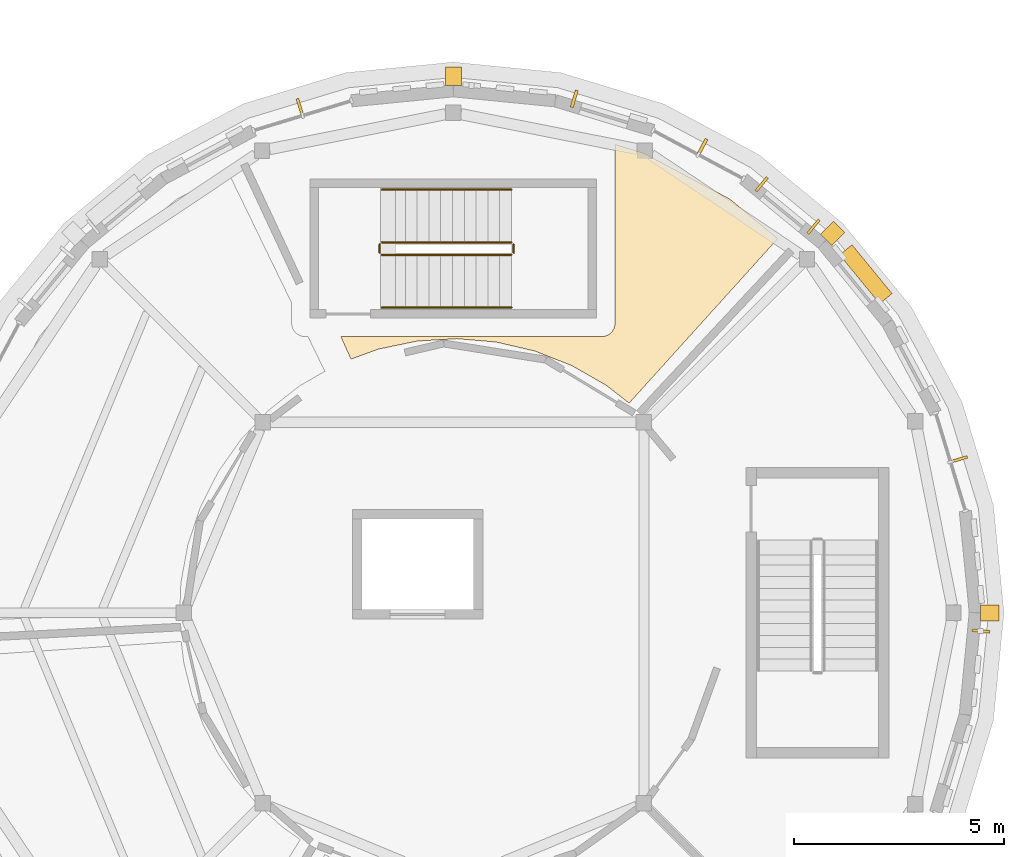
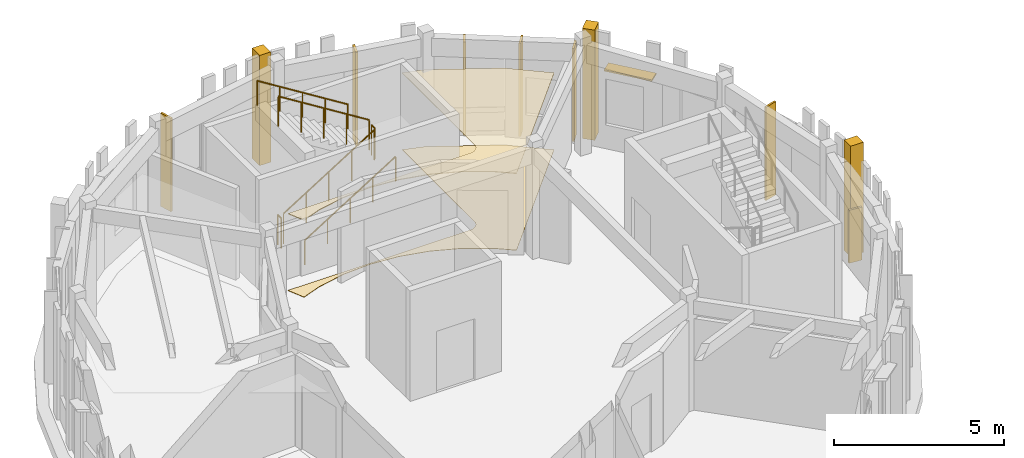
# One storey, part 80 of 80: 8 shading devices, 6 railings, 5 coverings.
"""IFC4 building model written with IfcOpenShell, lengths in metres."""

from ifc_helpers import new_model, si_unit, direction, frame, origin, origin_2d, place, context, subcontext, project, spatial, polyline, rectangle, circle, outline, extrude, material, layer, layer_set, type_object, element, save


model = new_model("IFC4")

# Units and contexts
model_context = context("Model", 3, precision=1e-05, world=origin(), true_north=direction((0.0, 1.0)))
body_context = subcontext(model_context, "Body", "Model", "MODEL_VIEW")
ifc_project = project(units=[si_unit("LENGTHUNIT", "METRE"), si_unit("AREAUNIT", "SQUARE_METRE"), si_unit("VOLUMEUNIT", "CUBIC_METRE"), si_unit("PLANEANGLEUNIT", "RADIAN"), si_unit("MASSUNIT", "GRAM", prefix="KILO")], contexts=[model_context])

# Site, building, storey
site_placement = place(None, origin())
site = spatial("IfcSite", under=ifc_project, at=site_placement, CompositionType="ELEMENT")
building_placement = place(site_placement, origin())
building = spatial("IfcBuilding", under=site, at=building_placement, Name="Aldenvaro Health Centre", CompositionType="ELEMENT")
storey_placement = place(building_placement, frame((0.0, 0.0, 4.550048828125)))
storey = spatial("IfcBuildingStorey", under=building, at=storey_placement, Name="L01", CompositionType="ELEMENT", Elevation=4.550048828125)

# Coverings
ifc_material_1 = material(Name="Hygienic Sealed Gypsum Ceiling")
ifc_layer_1 = layer(ifc_material_1, 0.02490234375, Name="Hygienic Sealed Gypsum Ceiling")
ifc_layer_set_1 = layer_set([ifc_layer_1], Name="Hygienic Sealed Gypsum Ceiling")
covering_type_1 = type_object("IfcCoveringType", Name="COV-CLG-GYP25", PredefinedType="CEILING", material=ifc_layer_set_1)
covering_1_placement = place(storey_placement, frame((0.0, 0.0, 2.75)))
element("IfcCovering", 1, at=covering_1_placement, inside=storey, type_object=covering_type_1, Name="D2-L01-R01 Suspended Ceiling", PredefinedType="CEILING", context=body_context, shape_type="SweptSolid", body=[
    extrude(outline(polyline([(158.137939453125, 104.89794921875), (158.10888671875, 104.9169921875), (157.322998046875, 105.364990234375), (157.2919921875, 105.3798828125), (156.449951171875, 105.7109375), (156.416015625, 105.720947265625), (155.534912109375, 105.927001953125), (155.5009765625, 105.931884765625), (154.60009765625, 106.009033203125), (154.56494140625, 106.009033203125), (153.662109375, 105.955078125), (153.6279296875, 105.950927734375), (152.741943359375, 105.76708984375), (152.7080078125, 105.758056640625), (152.068115234375, 105.52490234375), (151.827880859375, 106.06005859375), (158.02001953125, 106.06005859375), (158.031982421875, 106.06005859375), (158.0400390625, 106.06103515625), (158.06298828125, 106.06298828125), (158.071044921875, 106.06396484375), (158.093994140625, 106.069091796875), (158.10205078125, 106.071044921875), (158.1240234375, 106.076904296875), (158.131103515625, 106.080078125), (158.153076171875, 106.089111328125), (158.159912109375, 106.092041015625), (158.180908203125, 106.10400390625), (158.18798828125, 106.10791015625), (158.20703125, 106.12109375), (158.214111328125, 106.125), (158.23193359375, 106.139892578125), (158.238037109375, 106.14599609375), (158.25390625, 106.162109375), (158.260009765625, 106.16796875), (158.27490234375, 106.18603515625), (158.279052734375, 106.193115234375), (158.2919921875, 106.2119140625), (158.2958984375, 106.218994140625), (158.30810546875, 106.239990234375), (158.31103515625, 106.2470703125), (158.320068359375, 106.26904296875), (158.322998046875, 106.27587890625), (158.3291015625, 106.298095703125), (158.3310546875, 106.305908203125), (158.3359375, 106.3291015625), (158.3369140625, 106.3369140625), (158.339111328125, 106.360107421875), (158.340087890625, 106.367919921875), (158.340087890625, 106.3798828125), (158.340087890625, 110.6259765625), (159.02294921875, 110.4189453125), (161.06591796875, 109.326904296875), (162.2080078125, 108.388916015625), (158.675048828125, 104.47900390625), (158.137939453125, 104.89794921875)])), origin(), (0.0, 0.0, 1.0), 0.02490234375),
])
ifc_material_2 = material(Name="Honed Sonoran Buff Limestone", Category="masonry")
ifc_layer_2 = layer(ifc_material_2, 0.280029296875, Name="Honed Sonoran Buff Limestone", Category="masonry")
ifc_layer_set_2 = layer_set([ifc_layer_2], Name="Honed Sonoran Buff Limestone")
covering_type_2 = type_object("IfcCoveringType", Name="COV-CRN-STN", PredefinedType="CLADDING", material=ifc_layer_set_2)
for number, where, z_axis, x_axis, name in (
    (2, (167.239990234375, 99.5, -0.00048828125), (0.0, 0.0, 1.0), (1.0, 0.0, 0.0), "D2 L01 Engaged Classical Limestone Pilaster 01"),
    (3, (154.5, 112.239990234375, -0.00048828125), (0.0, 0.0, 1.0), (0.0, 1.0, 0.0), "D2 L01 Engaged Classical Limestone Pilaster 13"),
    (4, (163.509033203125, 108.509033203125, -0.00048828125), (0.0, 0.0, 1.0), (0.707106781187, 0.707106781187, 0.0), "D2 L01 Engaged Classical Limestone Pilaster 15"),
):
    element("IfcCovering", number, at=place(storey_placement, frame(where, z_axis=z_axis, x_axis=x_axis)), inside=storey, type_object=covering_type_2, Name=name, PredefinedType="CLADDING", context=body_context, shape_type="SweptSolid", body=[
        extrude(rectangle(XDim=0.43994140625, YDim=0.3798828125, at=origin_2d()), origin(), (0.0, 0.0, 1.0), 3.955078125),
    ])
ifc_material_3 = material(Name="Seamless Homogeneous Sheet Vinyl")
ifc_layer_3 = layer(ifc_material_3, 0.013916015625, Name="Seamless Homogeneous Sheet Vinyl")
ifc_layer_set_3 = layer_set([ifc_layer_3], Name="Seamless Homogeneous Sheet Vinyl")
covering_type_3 = type_object("IfcCoveringType", Name="COV-FLR-VNL14", PredefinedType="FLOORING", material=ifc_layer_set_3)
covering_2_placement = place(storey_placement, origin())
element("IfcCovering", 5, at=covering_2_placement, inside=storey, type_object=covering_type_3, Name="D2-L01-R01 Flooring", PredefinedType="FLOORING", context=body_context, shape_type="SweptSolid", body=[
    extrude(outline(polyline([(158.137939453125, 104.89794921875), (158.10888671875, 104.9169921875), (157.322998046875, 105.364990234375), (157.2919921875, 105.3798828125), (156.449951171875, 105.7109375), (156.416015625, 105.720947265625), (155.534912109375, 105.927001953125), (155.5009765625, 105.931884765625), (154.60009765625, 106.009033203125), (154.56494140625, 106.009033203125), (153.662109375, 105.955078125), (153.6279296875, 105.950927734375), (152.741943359375, 105.76708984375), (152.7080078125, 105.758056640625), (152.068115234375, 105.52490234375), (151.827880859375, 106.06005859375), (158.02001953125, 106.06005859375), (158.031982421875, 106.06005859375), (158.0400390625, 106.06103515625), (158.06298828125, 106.06298828125), (158.071044921875, 106.06396484375), (158.093994140625, 106.069091796875), (158.10205078125, 106.071044921875), (158.1240234375, 106.076904296875), (158.131103515625, 106.080078125), (158.153076171875, 106.089111328125), (158.159912109375, 106.092041015625), (158.180908203125, 106.10400390625), (158.18798828125, 106.10791015625), (158.20703125, 106.12109375), (158.214111328125, 106.125), (158.23193359375, 106.139892578125), (158.238037109375, 106.14599609375), (158.25390625, 106.162109375), (158.260009765625, 106.16796875), (158.27490234375, 106.18603515625), (158.279052734375, 106.193115234375), (158.2919921875, 106.2119140625), (158.2958984375, 106.218994140625), (158.30810546875, 106.239990234375), (158.31103515625, 106.2470703125), (158.320068359375, 106.26904296875), (158.322998046875, 106.27587890625), (158.3291015625, 106.298095703125), (158.3310546875, 106.305908203125), (158.3359375, 106.3291015625), (158.3369140625, 106.3369140625), (158.339111328125, 106.360107421875), (158.340087890625, 106.367919921875), (158.340087890625, 106.3798828125), (158.340087890625, 110.6259765625), (159.02294921875, 110.4189453125), (161.06591796875, 109.326904296875), (162.2080078125, 108.388916015625), (158.675048828125, 104.47900390625), (158.137939453125, 104.89794921875)])), origin(), (0.0, 0.0, 1.0), 0.013916015625),
])

# Railings
ifc_material_4 = material(Name="Painted Architectural Steel", Category="steel")
railing_type_1 = type_object("IfcRailingType", Name="RL-BAL-INT", PredefinedType="BALUSTRADE", material=ifc_material_4)
railing_1_placement = place(storey_placement, frame((152.800048828125, 108.0, 0.175048828125)))
element("IfcRailing", 6, at=railing_1_placement, inside=storey, type_object=railing_type_1, Name="L01 ST-04 stair guard 1", PredefinedType="BALUSTRADE", context=body_context, shape_type="SweptSolid", body=[
    extrude(circle(Radius=0.02392578125, at=origin_2d()), frame((0.0, 0.0, 1.076171875), z_axis=(0.848009633417, 0.0, 0.529980812513), x_axis=(0.0, 1.0, 0.0)), (0.0, 0.0, 1.0), 3.6318359375),
    extrude(circle(Radius=0.02099609375, at=origin_2d()), origin(), (0.0, 0.0, 1.0), 1.052001953125),
    extrude(circle(Radius=0.02099609375, at=origin_2d()), frame((0.77001953125, 0.0, 0.481201171875)), (0.0, 0.0, 1.0), 1.052001953125),
    extrude(circle(Radius=0.02099609375, at=origin_2d()), frame((1.5400390625, 0.0, 0.96240234375)), (0.0, 0.0, 1.0), 1.052001953125),
    extrude(circle(Radius=0.02099609375, at=origin_2d()), frame((2.309814453125, 0.0, 1.443603515625)), (0.0, 0.0, 1.0), 1.052001953125),
    extrude(circle(Radius=0.02099609375, at=origin_2d()), frame((3.079833984375, 0.0, 1.9248046875)), (0.0, 0.0, 1.0), 1.052001953125),
])
railing_2_placement = place(storey_placement, frame((155.929931640625, 108.050048828125, 2.099853515625)))
element("IfcRailing", 7, at=railing_2_placement, inside=storey, type_object=railing_type_1, Name="L01 ST-04 stair guard 2", PredefinedType="BALUSTRADE", context=body_context, shape_type="SweptSolid", body=[
    extrude(circle(Radius=0.02392578125, at=origin_2d()), frame((0.0, 0.0, 1.076171875), z_axis=(0.0, 1.0, 0.0), x_axis=(-1.0, 0.0, 0.0)), (0.0, 0.0, 1.0), 0.199951171875),
    extrude(circle(Radius=0.02099609375, at=origin_2d()), origin(), (0.0, 0.0, 1.0), 1.052001953125),
    extrude(circle(Radius=0.02099609375, at=origin_2d()), frame((0.0, 0.199951171875, 0.0)), (0.0, 0.0, 1.0), 1.052001953125),
])
railing_3_placement = place(storey_placement, frame((155.8798828125, 108.300048828125, 2.27490234375)))
element("IfcRailing", 8, at=railing_3_placement, inside=storey, type_object=railing_type_1, Name="L01 ST-04 stair guard 3", PredefinedType="BALUSTRADE", context=body_context, shape_type="SweptSolid", body=[
    extrude(circle(Radius=0.02392578125, at=origin_2d()), frame((0.0, 0.0, 1.076171875), z_axis=(-0.847979421464, 0.0, 0.530029150871), x_axis=(0.0, -1.0, 0.0)), (0.0, 0.0, 1.0), 3.632080078125),
    extrude(circle(Radius=0.02099609375, at=origin_2d()), origin(), (0.0, 0.0, 1.0), 1.052001953125),
    extrude(circle(Radius=0.02099609375, at=origin_2d()), frame((-0.77001953125, 0.0, 0.481201171875)), (0.0, 0.0, 1.0), 1.052001953125),
    extrude(circle(Radius=0.02099609375, at=origin_2d()), frame((-1.5400390625, 0.0, 0.96240234375)), (0.0, 0.0, 1.0), 1.052001953125),
    extrude(circle(Radius=0.02099609375, at=origin_2d()), frame((-2.309814453125, 0.0, 1.44384765625)), (0.0, 0.0, 1.0), 1.052001953125),
    extrude(circle(Radius=0.02099609375, at=origin_2d()), frame((-3.079833984375, 0.0, 1.925048828125)), (0.0, 0.0, 1.0), 1.052001953125),
])
railing_4_placement = place(storey_placement, frame((152.75, 108.050048828125, 0.0)))
element("IfcRailing", 9, at=railing_4_placement, inside=storey, type_object=railing_type_1, Name="L01 ST-04 stair guard 4", PredefinedType="BALUSTRADE", context=body_context, shape_type="SweptSolid", body=[
    extrude(circle(Radius=0.02392578125, at=origin_2d()), frame((0.0, 0.0, 1.076171875), z_axis=(0.0, 1.0, 0.0), x_axis=(-1.0, 0.0, 0.0)), (0.0, 0.0, 1.0), 0.199951171875),
    extrude(circle(Radius=0.02099609375, at=origin_2d()), origin(), (0.0, 0.0, 1.0), 1.052001953125),
    extrude(circle(Radius=0.02099609375, at=origin_2d()), frame((0.0, 0.199951171875, 0.0)), (0.0, 0.0, 1.0), 1.052001953125),
])
railing_type_2 = type_object("IfcRailingType", Name="RL-HND-INT", PredefinedType="HANDRAIL", material=ifc_material_4)
railing_5_placement = place(storey_placement, frame((152.800048828125, 106.75, 0.175048828125)))
element("IfcRailing", 10, at=railing_5_placement, inside=storey, type_object=railing_type_2, Name="L01 ST-04 stair handrail 1", PredefinedType="HANDRAIL", context=body_context, shape_type="SweptSolid", body=[
    extrude(circle(Radius=0.02392578125, at=origin_2d()), frame((0.0, 0.0, 0.8759765625), z_axis=(0.848009633417, 0.0, 0.529980812513), x_axis=(0.0, 1.0, 0.0)), (0.0, 0.0, 1.0), 3.6318359375),
    extrude(circle(Radius=0.02099609375, at=origin_2d()), origin(), (0.0, 0.0, 1.0), 0.851806640625),
    extrude(circle(Radius=0.02099609375, at=origin_2d()), frame((0.77001953125, 0.0, 0.481201171875)), (0.0, 0.0, 1.0), 0.851806640625),
    extrude(circle(Radius=0.02099609375, at=origin_2d()), frame((1.5400390625, 0.0, 0.96240234375)), (0.0, 0.0, 1.0), 0.851806640625),
    extrude(circle(Radius=0.02099609375, at=origin_2d()), frame((2.309814453125, 0.0, 1.443603515625)), (0.0, 0.0, 1.0), 0.851806640625),
    extrude(circle(Radius=0.02099609375, at=origin_2d()), frame((3.079833984375, 0.0, 1.9248046875)), (0.0, 0.0, 1.0), 0.851806640625),
])
railing_6_placement = place(storey_placement, frame((155.8798828125, 109.550048828125, 2.27490234375)))
element("IfcRailing", 11, at=railing_6_placement, inside=storey, type_object=railing_type_2, Name="L01 ST-04 stair handrail 2", PredefinedType="HANDRAIL", context=body_context, shape_type="SweptSolid", body=[
    extrude(circle(Radius=0.02392578125, at=origin_2d()), frame((0.0, 0.0, 0.8759765625), z_axis=(-0.847979421464, 0.0, 0.530029150871), x_axis=(0.0, -1.0, 0.0)), (0.0, 0.0, 1.0), 3.632080078125),
    extrude(circle(Radius=0.02099609375, at=origin_2d()), origin(), (0.0, 0.0, 1.0), 0.851806640625),
    extrude(circle(Radius=0.02099609375, at=origin_2d()), frame((-0.77001953125, 0.0, 0.481201171875)), (0.0, 0.0, 1.0), 0.851806640625),
    extrude(circle(Radius=0.02099609375, at=origin_2d()), frame((-1.5400390625, 0.0, 0.96240234375)), (0.0, 0.0, 1.0), 0.851806640625),
    extrude(circle(Radius=0.02099609375, at=origin_2d()), frame((-2.309814453125, 0.0, 1.44384765625)), (0.0, 0.0, 1.0), 0.851806640625),
    extrude(circle(Radius=0.02099609375, at=origin_2d()), frame((-3.079833984375, 0.0, 1.925048828125)), (0.0, 0.0, 1.0), 0.851806640625),
])

# Shading devices
ifc_material_5 = material(Name="Douglas Fir Exterior Glulam GL28h", Category="wood")
shading_device_type_1 = type_object("IfcShadingDeviceType", Name="SHD-FIN-190", PredefinedType="USERDEFINED", material=ifc_material_5)
shading_device_1_placement = place(storey_placement, frame((167.032958984375, 99.06494140625, -0.02001953125), z_axis=(0.0, 0.0, 1.0), x_axis=(-0.097914988926, -0.995194782414, 0.0)))
element("IfcShadingDevice", 12, at=shading_device_1_placement, inside=storey, type_object=shading_device_type_1, Name="D2 L01 Douglas fir fin 1.1", ObjectType="FIN", PredefinedType="USERDEFINED", context=body_context, shape_type="SweptSolid", body=[
    extrude(rectangle(XDim=0.06494140625, YDim=0.419921875, at=origin_2d()), origin(), (0.0, 0.0, 1.0), 1.89990234375),
])
shading_device_type_2 = type_object("IfcShadingDeviceType", Name="SHD-FIN-340", PredefinedType="USERDEFINED", material=ifc_material_5)
shading_device_2_placement = place(storey_placement, frame((160.416015625, 110.568115234375, -0.01953125), z_axis=(0.0, 0.0, 1.0), x_axis=(0.881919874971, -0.471399336159, 0.0)))
element("IfcShadingDevice", 13, at=shading_device_2_placement, inside=storey, type_object=shading_device_type_2, Name="D2 L01 vertical timber fin 27.0", ObjectType="FIN", PredefinedType="USERDEFINED", context=body_context, shape_type="SweptSolid", body=[
    extrude(rectangle(XDim=0.074951171875, YDim=0.419921875, at=origin_2d()), origin(), (0.0, 0.0, 1.0), 3.34912109375),
])
shading_device_type_3 = type_object("IfcShadingDeviceType", Name="SHD-FIN-380", PredefinedType="USERDEFINED", material=ifc_material_5)
shading_device_3_placement = place(storey_placement, frame((157.3720703125, 111.70703125, -0.01953125), z_axis=(0.0, 0.0, 1.0), x_axis=(0.956892827403, -0.290441245116, 0.0)))
element("IfcShadingDevice", 14, at=shading_device_3_placement, inside=storey, type_object=shading_device_type_3, Name="D2 L01 Douglas fir fin 26.1", ObjectType="FIN", PredefinedType="USERDEFINED", context=body_context, shape_type="SweptSolid", body=[
    extrude(rectangle(XDim=0.074951171875, YDim=0.419921875, at=origin_2d()), origin(), (0.0, 0.0, 1.0), 3.34912109375),
])
shading_device_type_4 = type_object("IfcShadingDeviceType", Name="SHD-FIN-400", PredefinedType="USERDEFINED", material=ifc_material_5)
shading_device_4_placement = place(storey_placement, frame((166.510009765625, 103.14306640625, -0.01953125), z_axis=(0.0, 0.0, 1.0), x_axis=(0.290441245116, -0.956892827403, 0.0)))
element("IfcShadingDevice", 15, at=shading_device_4_placement, inside=storey, type_object=shading_device_type_4, Name="D2 L01 vertical timber fin 31.0", ObjectType="FIN", PredefinedType="USERDEFINED", context=body_context, shape_type="SweptSolid", body=[
    extrude(rectangle(XDim=0.06494140625, YDim=0.419921875, at=origin_2d()), origin(), (0.0, 0.0, 1.0), 3.34912109375),
])
shading_device_type_5 = type_object("IfcShadingDeviceType", Name="SHD-FIN-435", PredefinedType="USERDEFINED", material=ifc_material_5)
shading_device_5_placement = place(storey_placement, frame((150.85693359375, 111.510009765625, -0.01953125), z_axis=(0.0, 0.0, 1.0), x_axis=(0.956892827403, 0.290441245116, 0.0)))
element("IfcShadingDevice", 16, at=shading_device_5_placement, inside=storey, type_object=shading_device_type_5, Name="D2 L01 vertical timber fin 23.0", ObjectType="FIN", PredefinedType="USERDEFINED", context=body_context, shape_type="SweptSolid", body=[
    extrude(rectangle(XDim=0.06494140625, YDim=0.419921875, at=origin_2d()), origin(), (0.0, 0.0, 1.0), 3.34912109375),
])
shading_device_type_6 = type_object("IfcShadingDeviceType", Name="SHD-FIN-455", PredefinedType="USERDEFINED", material=ifc_material_5)
for number, where, z_axis, x_axis, name in (
    (17, (161.824951171875, 109.678955078125, -0.01953125), (0.0, 0.0, 1.0), (0.773021639749, -0.634379653268, 0.0), "D2 L01 Douglas fir fin 28.1"),
    (18, (163.053955078125, 108.669921875, -0.01953125), (0.0, 0.0, 1.0), (0.773021639749, -0.634379653268, 0.0), "D2 L01 Douglas fir fin 28.3"),
):
    element("IfcShadingDevice", number, at=place(storey_placement, frame(where, z_axis=z_axis, x_axis=x_axis)), inside=storey, type_object=shading_device_type_6, Name=name, ObjectType="FIN", PredefinedType="USERDEFINED", context=body_context, shape_type="SweptSolid", body=[
        extrude(rectangle(XDim=0.06494140625, YDim=0.419921875, at=origin_2d()), origin(), (0.0, 0.0, 1.0), 3.34912109375),
    ])
shading_device_type_7 = type_object("IfcShadingDeviceType", Name="SHD-LVR-150", PredefinedType="JALOUSIE", material=ifc_material_5)
shading_device_6_placement = place(storey_placement, frame((164.298095703125, 107.541015625, 2.55224609375), z_axis=(0.0, 0.0, 1.0), x_axis=(0.634379653268, -0.773021639749, 0.0)))
element("IfcShadingDevice", 19, at=shading_device_6_placement, inside=storey, type_object=shading_device_type_7, Name="D2 L01 horizontal solar louvre 29", PredefinedType="JALOUSIE", context=body_context, shape_type="SweptSolid", body=[
    extrude(rectangle(XDim=1.5, YDim=0.3798828125, at=origin_2d()), origin(), (0.0, 0.0, 1.0), 0.054931640625),
])

save(model, "model.ifc")
